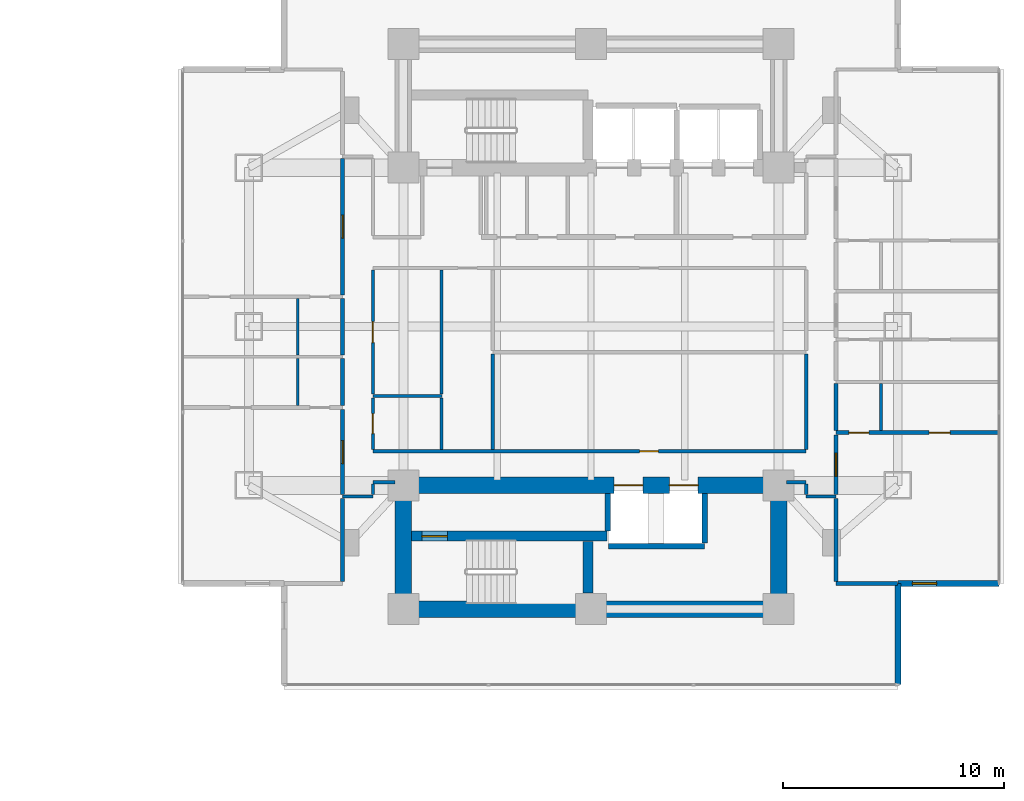
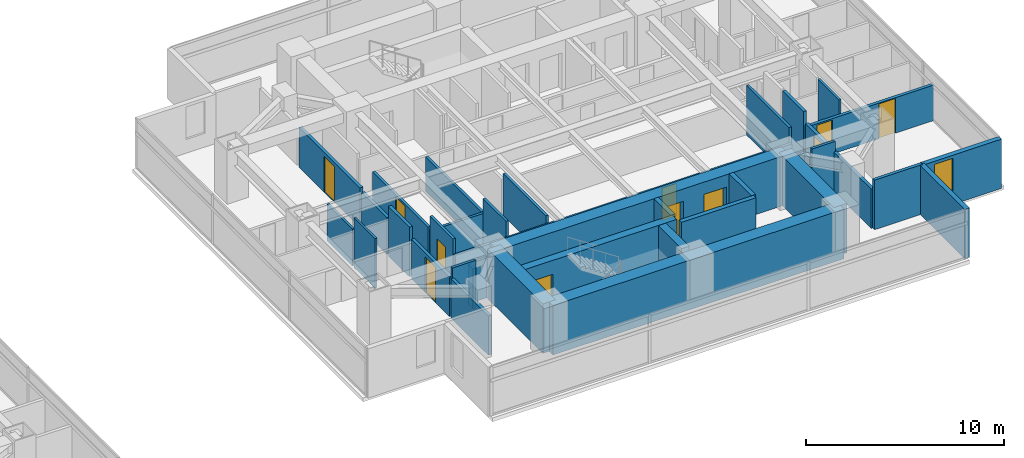
# One storey, part 17 of 25: 38 walls, 11 doors, 1 window, 12 openings.
"""IFC4 building model written with IfcOpenShell, lengths in metres."""

from ifc_helpers import new_model, si_unit, direction, frame, frame_2d, origin, place, context, subcontext, project, spatial, rectangle, extrude, material, layer, layer_set, type_object, element, fill, save


model = new_model("IFC4")

# Units and contexts
model_context = context("Model", 3, precision=1e-05, world=origin(), true_north=direction((0.0, 1.0)))
body_context = subcontext(model_context, "Body", "Model", "MODEL_VIEW")
ifc_project = project(units=[si_unit("LENGTHUNIT", "METRE"), si_unit("AREAUNIT", "SQUARE_METRE"), si_unit("VOLUMEUNIT", "CUBIC_METRE"), si_unit("PLANEANGLEUNIT", "RADIAN"), si_unit("MASSUNIT", "GRAM", prefix="KILO")], contexts=[model_context])

# Site, building, storey
site_placement = place(None, origin())
site = spatial("IfcSite", under=ifc_project, at=site_placement, CompositionType="ELEMENT")
building_placement = place(site_placement, origin())
building = spatial("IfcBuilding", under=site, at=building_placement, Name="Mirazonda Arch Towers", CompositionType="ELEMENT")
storey_placement = place(building_placement, frame((0.0, 0.0, 32.300048828125)))
storey = spatial("IfcBuildingStorey", under=building, at=storey_placement, Name="L08", CompositionType="ELEMENT", Elevation=32.300048828125)

# Wall, opening, door
ifc_material_1 = material(Name="Concrete C50/60", Category="concrete")
ifc_layer_1 = layer(ifc_material_1, 0.449951171875, Name="WALL-CORE-450")
ifc_layer_set_1 = layer_set([ifc_layer_1], Name="Concrete C50/60")
wall_type_1 = type_object("IfcWallType", Name="WALL-CORE-450", PredefinedType="SHEAR", material=ifc_layer_set_1)
wall_1_placement = place(storey_placement, frame((68.3701171875, 18.5, 0.0), z_axis=(0.0, 0.0, 1.0), x_axis=(1.0, 0.0, 0.0)))
wall_1 = element("IfcWall", 1, at=wall_1_placement, inside=storey, type_object=wall_type_1, Name="L08 Stair Core Shear Wall 014", PredefinedType="SHEAR", context=body_context, shape_type="SweptSolid", body=[
    extrude(rectangle(XDim=8.849853515625, YDim=0.449951171875, at=frame_2d((4.4248046875, 0.0))), origin(), (0.0, 0.0, 1.0), 3.06005859375),
])
opening_1_placement = place(wall_1_placement, frame((0.469970703125, 0.0, 0.0)))
opening_1 = element("IfcOpeningElement", 2, at=opening_1_placement, cuts=wall_1, Name="Opening DR-135", PredefinedType="OPENING", context=body_context, shape_type="SweptSolid", body=[
    extrude(rectangle(XDim=1.14990234375, YDim=2.199951171875, at=frame_2d((0.574951171875, 1.10009765625))), frame((0.0, 0.23486328125, 0.0), z_axis=(0.0, -1.0, 0.0), x_axis=(1.0, 0.0, 0.0)), (0.0, 0.0, 1.0), 0.469970703125),
])
ifc_material_2 = material(Name="Architectural Brushed Steel S355", Category="steel")
door_type_1 = type_object("IfcDoorType", Name="DOOR-STAIR-FD90-1150", OperationType="NOTDEFINED", PredefinedType="DOOR", material=ifc_material_2)
door_1_placement = place(opening_1_placement, origin())
door_1 = element("IfcDoor", 3, at=door_1_placement, inside=storey, type_object=door_type_1, Name="L08 East Protected Stair South Door", OperationType="SINGLE_SWING_LEFT", OverallHeight=2.199951171875, OverallWidth=1.14990234375, PredefinedType="DOOR", context=body_context, shape_type="SweptSolid", body=[
    extrude(rectangle(XDim=1.14990234375, YDim=2.199951171875, at=frame_2d((0.574951171875, 1.10009765625))), frame((0.0, 0.02490234375, 0.0), z_axis=(0.0, -1.0, 0.0), x_axis=(1.0, 0.0, 0.0)), (0.0, 0.0, 1.0), 0.050048828125),
])
fill(opening_1, door_1)

# Walls
wall_2_placement = place(storey_placement, frame((76.360107421875, 15.9150390625, 0.0), z_axis=(0.0, 0.0, 1.0), x_axis=(0.0, 1.0, 0.0)))
element("IfcWall", 4, at=wall_2_placement, inside=storey, type_object=wall_type_1, Name="L08 Stair Core Shear Wall 138", PredefinedType="SHEAR", context=body_context, shape_type="SweptSolid", body=[
    extrude(rectangle(XDim=2.349853515625, YDim=0.449951171875, at=frame_2d((1.1748046875, 0.0))), origin(), (0.0, 0.0, 1.0), 3.06005859375),
])
ifc_material_3 = material(Name="Concrete C60/75", Category="concrete")
ifc_layer_2 = layer(ifc_material_3, 0.75, Name="WALL-CORE-750")
ifc_layer_set_2 = layer_set([ifc_layer_2], Name="Concrete C60/75")
wall_type_2 = type_object("IfcWallType", Name="WALL-CORE-750", PredefinedType="SHEAR", material=ifc_layer_set_2)
wall_3_placement = place(storey_placement, frame((68.0, 15.199951171875, 0.0), z_axis=(0.0, 0.0, 1.0), x_axis=(1.0, 0.0, 0.0)))
element("IfcWall", 5, at=wall_3_placement, inside=storey, type_object=wall_type_2, Name="L08 T2S-S Core Shear Wall", PredefinedType="SHEAR", context=body_context, shape_type="SweptSolid", body=[
    extrude(rectangle(XDim=17.0, YDim=0.75, at=frame_2d((8.5, 0.0))), origin(), (0.0, 0.0, 1.0), 3.06005859375),
])
for number, where, z_axis, x_axis, name in (
    (6, (68.0, 15.199951171875, 0.0), (0.0, 0.0, 1.0), (0.0, 1.0, 0.0), "L08 T2S-W Core Shear Wall"),
    (7, (85.0, 15.199951171875, 0.0), (0.0, 0.0, 1.0), (0.0, 1.0, 0.0), "L08 T2S-E Core Shear Wall"),
):
    element("IfcWall", number, at=place(storey_placement, frame(where, z_axis=z_axis, x_axis=x_axis)), inside=storey, type_object=wall_type_2, Name=name, PredefinedType="SHEAR", context=body_context, shape_type="SweptSolid", body=[
        extrude(rectangle(XDim=5.60009765625, YDim=0.75, at=frame_2d((2.800048828125, 0.0))), origin(), (0.0, 0.0, 1.0), 3.06005859375),
    ])

# Wall, openings, doors
wall_4_placement = place(storey_placement, frame((68.0, 20.800048828125, 0.0), z_axis=(0.0, 0.0, 1.0), x_axis=(1.0, 0.0, 0.0)))
wall_4 = element("IfcWall", 8, at=wall_4_placement, inside=storey, type_object=wall_type_2, Name="L08 T2S-N Core Shear Wall", PredefinedType="SHEAR", context=body_context, shape_type="SweptSolid", body=[
    extrude(rectangle(XDim=17.0, YDim=0.75, at=frame_2d((8.5, 0.0))), origin(), (0.0, 0.0, 1.0), 3.06005859375),
])
opening_2_placement = place(wall_4_placement, frame((9.550048828125, 0.0, 0.0)))
opening_2 = element("IfcOpeningElement", 9, at=opening_2_placement, cuts=wall_4, Name="Opening LD-111", PredefinedType="OPENING", context=body_context, shape_type="SweptSolid", body=[
    extrude(rectangle(XDim=1.300048828125, YDim=2.300048828125, at=frame_2d((0.64990234375, 1.14990234375))), frame((0.0, 0.385009765625, 0.0), z_axis=(0.0, -1.0, 0.0), x_axis=(1.0, 0.0, 0.0)), (0.0, 0.0, 1.0), 0.77001953125),
])
opening_3_placement = place(wall_4_placement, frame((12.050048828125, 0.0, 0.0)))
opening_3 = element("IfcOpeningElement", 10, at=opening_3_placement, cuts=wall_4, Name="Opening LD-111", PredefinedType="OPENING", context=body_context, shape_type="SweptSolid", body=[
    extrude(rectangle(XDim=1.300048828125, YDim=2.300048828125, at=frame_2d((0.64990234375, 1.14990234375))), frame((0.0, 0.385009765625, 0.0), z_axis=(0.0, -1.0, 0.0), x_axis=(1.0, 0.0, 0.0)), (0.0, 0.0, 1.0), 0.77001953125),
])
door_type_2 = type_object("IfcDoorType", Name="DOOR-LIFT-LAND-1300", OperationType="NOTDEFINED", PredefinedType="DOOR", material=ifc_material_2)
door_2_placement = place(opening_2_placement, origin())
door_2 = element("IfcDoor", 11, at=door_2_placement, inside=storey, type_object=door_type_2, Name="L08 Lift Landing Sliding Door PL-T2H1", OperationType="DOUBLE_DOOR_SLIDING", OverallHeight=2.300048828125, OverallWidth=1.300048828125, PredefinedType="DOOR", context=body_context, shape_type="SweptSolid", body=[
    extrude(rectangle(XDim=1.300048828125, YDim=2.300048828125, at=frame_2d((0.64990234375, 1.14990234375))), frame((0.0, 0.02490234375, 0.0), z_axis=(0.0, -1.0, 0.0), x_axis=(1.0, 0.0, 0.0)), (0.0, 0.0, 1.0), 0.050048828125),
])
fill(opening_2, door_2)
door_3_placement = place(opening_3_placement, origin())
door_3 = element("IfcDoor", 12, at=door_3_placement, inside=storey, type_object=door_type_2, Name="L08 Lift Landing Sliding Door PL-T2H2", OperationType="DOUBLE_DOOR_SLIDING", OverallHeight=2.300048828125, OverallWidth=1.300048828125, PredefinedType="DOOR", context=body_context, shape_type="SweptSolid", body=[
    extrude(rectangle(XDim=1.300048828125, YDim=2.300048828125, at=frame_2d((0.64990234375, 1.14990234375))), frame((0.0, 0.02490234375, 0.0), z_axis=(0.0, -1.0, 0.0), x_axis=(1.0, 0.0, 0.0)), (0.0, 0.0, 1.0), 0.050048828125),
])
fill(opening_3, door_3)

# Wall, opening, window
ifc_material_4 = material(Name="Precast Concrete C40/50", Category="concrete")
ifc_layer_3 = layer(ifc_material_4, 0.280029296875, Name="WALL-EXT-WALL-280")
ifc_layer_set_3 = layer_set([ifc_layer_3], Name="Precast Concrete C40/50")
wall_type_3 = type_object("IfcWallType", Name="WALL-EXT-WALL-280", PredefinedType="SOLIDWALL", material=ifc_layer_set_3)
wall_5_placement = place(storey_placement, frame((90.4140625, 16.35009765625, 0.0), z_axis=(0.0, 0.0, 1.0), x_axis=(1.0, 0.0, 0.0)))
wall_5 = element("IfcWall", 13, at=wall_5_placement, inside=storey, type_object=wall_type_3, Name="L08 T2 Corner Notch Return Wall WL-L08-T2-CSE1", PredefinedType="SOLIDWALL", context=body_context, shape_type="SweptSolid", body=[
    extrude(rectangle(XDim=4.579833984375, YDim=0.280029296875, at=frame_2d((2.2900390625, 0.0))), origin(), (0.0, 0.0, 1.0), 3.0400390625),
])
opening_4_placement = place(wall_5_placement, frame((0.64990234375, 0.0, 0.85009765625)))
opening_4 = element("IfcOpeningElement", 14, at=opening_4_placement, cuts=wall_5, Name="Opening WN-108", PredefinedType="OPENING", context=body_context, shape_type="SweptSolid", body=[
    extrude(rectangle(XDim=1.10009765625, YDim=2.0, at=frame_2d((0.550048828125, 1.0))), frame((0.0, 0.14990234375, 0.0), z_axis=(0.0, -1.0, 0.0), x_axis=(1.0, 0.0, 0.0)), (0.0, 0.0, 1.0), 0.300048828125),
])
ifc_material_5 = material(Name="Insulated Low-E Solar Glass", Category="glass")
window_type = type_object("IfcWindowType", Name="WIN-NOTCH-1100x2000", PartitioningType="SINGLE_PANEL", PredefinedType="WINDOW", material=ifc_material_5)
window_placement = place(opening_4_placement, origin())
window = element("IfcWindow", 15, at=window_placement, inside=storey, type_object=window_type, Name="L08 Punched Facade Window WN-L08-T2-CSE1", OverallHeight=2.0, OverallWidth=1.10009765625, PartitioningType="SINGLE_PANEL", PredefinedType="WINDOW", context=body_context, shape_type="SweptSolid", body=[
    extrude(rectangle(XDim=1.10009765625, YDim=2.0, at=frame_2d((0.550048828125, 1.0))), frame((0.0, 0.030029296875, 0.0), z_axis=(0.0, -1.0, 0.0), x_axis=(1.0, 0.0, 0.0)), (0.0, 0.0, 1.0), 0.06005859375),
])
fill(opening_4, window)

# Walls
wall_6_placement = place(storey_placement, frame((90.4140625, 11.77001953125, 0.0), z_axis=(0.0, 0.0, 1.0), x_axis=(0.0, 1.0, 0.0)))
element("IfcWall", 16, at=wall_6_placement, inside=storey, type_object=wall_type_3, Name="L08 T2 Corner Notch Return Wall WL-L08-T2-CSE2", PredefinedType="SOLIDWALL", context=body_context, shape_type="SweptSolid", body=[
    extrude(rectangle(XDim=4.580078125, YDim=0.280029296875, at=frame_2d((2.2900390625, 0.0))), origin(), (0.0, 0.0, 1.0), 3.0400390625),
])
ifc_material_6 = material(Name="Fire-Rated Gypsum Stud Partition")
ifc_layer_4 = layer(ifc_material_6, 0.14990234375, Name="WALL-PART-CORR-150")
ifc_layer_set_4 = layer_set([ifc_layer_4], Name="Fire-Rated Gypsum Stud Partition")
wall_type_4 = type_object("IfcWallType", Name="WALL-PART-CORR-150", PredefinedType="PARTITIONING", material=ifc_layer_set_4)
wall_7_placement = place(storey_placement, frame((65.25, 20.300048828125, 0.0), z_axis=(0.0, 0.0, 1.0), x_axis=(1.0, 0.0, 0.0)))
element("IfcWall", 17, at=wall_7_placement, inside=storey, type_object=wall_type_4, Name="L08 Interior Partition 017", PredefinedType="PARTITIONING", context=body_context, shape_type="SweptSolid", body=[
    extrude(rectangle(XDim=1.3701171875, YDim=0.14990234375, at=frame_2d((0.68505859375, 0.0))), origin(), (0.0, 0.0, 1.0), 3.06005859375),
])
wall_8_placement = place(storey_placement, frame((86.25, 20.300048828125, 0.0), z_axis=(0.0, 0.0, 1.0), x_axis=(1.0, 0.0, 0.0)))
element("IfcWall", 18, at=wall_8_placement, inside=storey, type_object=wall_type_4, Name="L08 Interior Partition 018", PredefinedType="PARTITIONING", context=body_context, shape_type="SweptSolid", body=[
    extrude(rectangle(XDim=1.35009765625, YDim=0.14990234375, at=frame_2d((0.675048828125, 0.0))), origin(), (0.0, 0.0, 1.0), 3.06005859375),
])
wall_9_placement = place(storey_placement, frame((66.6201171875, 20.949951171875, 0.0), z_axis=(0.0, 0.0, 1.0), x_axis=(1.0, 0.0, 0.0)))
element("IfcWall", 19, at=wall_9_placement, inside=storey, type_object=wall_type_4, Name="L08 Interior Partition 019", PredefinedType="PARTITIONING", context=body_context, shape_type="SweptSolid", body=[
    extrude(rectangle(XDim=1.009765625, YDim=0.14990234375, at=frame_2d((0.5048828125, 0.0))), origin(), (0.0, 0.0, 1.0), 2.451904296875),
])
wall_10_placement = place(storey_placement, frame((85.3701171875, 20.949951171875, 0.0), z_axis=(0.0, 0.0, 1.0), x_axis=(1.0, 0.0, 0.0)))
element("IfcWall", 20, at=wall_10_placement, inside=storey, type_object=wall_type_4, Name="L08 Interior Partition 020", PredefinedType="PARTITIONING", context=body_context, shape_type="SweptSolid", body=[
    extrude(rectangle(XDim=0.8798828125, YDim=0.14990234375, at=frame_2d((0.43994140625, 0.0))), origin(), (0.0, 0.0, 1.0), 2.451904296875),
])

# Wall, opening, door
wall_11_placement = place(storey_placement, frame((66.6201171875, 22.35009765625, 0.0), z_axis=(0.0, 0.0, 1.0), x_axis=(1.0, 0.0, 0.0)))
wall_11 = element("IfcWall", 21, at=wall_11_placement, inside=storey, type_object=wall_type_4, Name="L08 Interior Partition 023", PredefinedType="PARTITIONING", context=body_context, shape_type="SweptSolid", body=[
    extrude(rectangle(XDim=19.6298828125, YDim=0.14990234375, at=frame_2d((9.81494140625, 0.0))), origin(), (0.0, 0.0, 1.0), 2.125),
])
opening_5_placement = place(wall_11_placement, frame((12.0849609375, 0.0, 0.0)))
opening_5 = element("IfcOpeningElement", 22, at=opening_5_placement, cuts=wall_11, Name="Opening DR-128", PredefinedType="OPENING", context=body_context, shape_type="SweptSolid", body=[
    extrude(rectangle(XDim=0.85009765625, YDim=2.010009765625, at=frame_2d((0.425048828125, 1.0048828125))), frame((0.0, 0.0849609375, 0.0), z_axis=(0.0, -1.0, 0.0), x_axis=(1.0, 0.0, 0.0)), (0.0, 0.0, 1.0), 0.169921875),
])
door_type_3 = type_object("IfcDoorType", Name="DOOR-RISER-FD60-850", OperationType="NOTDEFINED", PredefinedType="DOOR", material=ifc_material_2)
door_4_placement = place(opening_5_placement, origin())
door_4 = element("IfcDoor", 23, at=door_4_placement, inside=storey, type_object=door_type_3, Name="L08 Business Reading Study Door", OperationType="SINGLE_SWING_RIGHT", OverallHeight=2.010009765625, OverallWidth=0.85009765625, PredefinedType="DOOR", context=body_context, shape_type="SweptSolid", body=[
    extrude(rectangle(XDim=0.85009765625, YDim=2.010009765625, at=frame_2d((0.425048828125, 1.0048828125))), frame((0.0, 0.02490234375, 0.0), z_axis=(0.0, -1.0, 0.0), x_axis=(1.0, 0.0, 0.0)), (0.0, 0.0, 1.0), 0.050048828125),
])
fill(opening_5, door_4)

# Walls
wall_12_placement = place(storey_placement, frame((66.6201171875, 24.85009765625, 0.0), z_axis=(0.0, 0.0, 1.0), x_axis=(1.0, 0.0, 0.0)))
element("IfcWall", 24, at=wall_12_placement, inside=storey, type_object=wall_type_4, Name="L08 Interior Partition 028", PredefinedType="PARTITIONING", context=body_context, shape_type="SweptSolid", body=[
    extrude(rectangle(XDim=3.1298828125, YDim=0.14990234375, at=frame_2d((1.56494140625, 0.0))), origin(), (0.0, 0.0, 1.0), 2.125),
])
wall_13_placement = place(storey_placement, frame((66.6201171875, 20.385009765625, 0.0), z_axis=(0.0, 0.0, 1.0), x_axis=(0.0, 1.0, 0.0)))
element("IfcWall", 25, at=wall_13_placement, inside=storey, type_object=wall_type_4, Name="L08 Interior Partition 125", PredefinedType="PARTITIONING", context=body_context, shape_type="SweptSolid", body=[
    extrude(rectangle(XDim=0.47998046875, YDim=0.14990234375, at=frame_2d((0.239990234375, 0.0))), origin(), (0.0, 0.0, 1.0), 2.451904296875),
])

# Wall, opening, door
wall_14_placement = place(storey_placement, frame((66.6201171875, 22.43505859375, 0.0), z_axis=(0.0, 0.0, 1.0), x_axis=(0.0, 1.0, 0.0)))
wall_14 = element("IfcWall", 26, at=wall_14_placement, inside=storey, type_object=wall_type_4, Name="L08 Interior Partition 126", PredefinedType="PARTITIONING", context=body_context, shape_type="SweptSolid", body=[
    extrude(rectangle(XDim=2.329833984375, YDim=0.14990234375, at=frame_2d((1.1650390625, 0.0))), origin(), (0.0, 0.0, 1.0), 3.06005859375),
])
opening_6_placement = place(wall_14_placement, frame((0.715087890625, 0.0, 0.0)))
opening_6 = element("IfcOpeningElement", 27, at=opening_6_placement, cuts=wall_14, Name="Opening DR-120", PredefinedType="OPENING", context=body_context, shape_type="SweptSolid", body=[
    extrude(rectangle(XDim=0.89990234375, YDim=2.10009765625, at=frame_2d((0.449951171875, 1.050048828125))), frame((0.0, 0.0849609375, 0.0), z_axis=(0.0, -1.0, 0.0), x_axis=(1.0, 0.0, 0.0)), (0.0, 0.0, 1.0), 0.169921875),
])
door_type_4 = type_object("IfcDoorType", Name="DOOR-WC-900", OperationType="NOTDEFINED", PredefinedType="DOOR", material=ifc_material_2)
door_5_placement = place(opening_6_placement, origin())
door_5 = element("IfcDoor", 28, at=door_5_placement, inside=storey, type_object=door_type_4, Name="L08 Tower 2 Common Accessible WC Door", OperationType="SINGLE_SWING_RIGHT", OverallHeight=2.10009765625, OverallWidth=0.89990234375, PredefinedType="DOOR", context=body_context, shape_type="SweptSolid", body=[
    extrude(rectangle(XDim=0.89990234375, YDim=2.10009765625, at=frame_2d((0.449951171875, 1.050048828125))), frame((0.0, 0.02490234375, 0.0), z_axis=(0.0, -1.0, 0.0), x_axis=(1.0, 0.0, 0.0)), (0.0, 0.0, 1.0), 0.050048828125),
])
fill(opening_6, door_5)

wall_15_placement = place(storey_placement, frame((66.6201171875, 24.93505859375, 0.0), z_axis=(0.0, 0.0, 1.0), x_axis=(0.0, 1.0, 0.0)))
wall_15 = element("IfcWall", 29, at=wall_15_placement, inside=storey, type_object=wall_type_4, Name="L08 Interior Partition 127", PredefinedType="PARTITIONING", context=body_context, shape_type="SweptSolid", body=[
    extrude(rectangle(XDim=5.6298828125, YDim=0.14990234375, at=frame_2d((2.81494140625, 0.0))), origin(), (0.0, 0.0, 1.0), 2.279052734375),
])
opening_7_placement = place(wall_15_placement, frame((2.340087890625, 0.0, 0.0)))
opening_7 = element("IfcOpeningElement", 30, at=opening_7_placement, cuts=wall_15, Name="Opening DR-104", PredefinedType="OPENING", context=body_context, shape_type="SweptSolid", body=[
    extrude(rectangle(XDim=0.949951171875, YDim=2.14990234375, at=frame_2d((0.47509765625, 1.074951171875))), frame((0.0, 0.0849609375, 0.0), z_axis=(0.0, -1.0, 0.0), x_axis=(1.0, 0.0, 0.0)), (0.0, 0.0, 1.0), 0.169921875),
])
door_type_5 = type_object("IfcDoorType", Name="DOOR-ROOM-950", OperationType="NOTDEFINED", PredefinedType="DOOR", material=ifc_material_2)
door_6_placement = place(opening_7_placement, origin())
door_6 = element("IfcDoor", 31, at=door_6_placement, inside=storey, type_object=door_type_5, Name="L08 L08 East Courtyard Reading Study Door", OperationType="SINGLE_SWING_RIGHT", OverallHeight=2.14990234375, OverallWidth=0.949951171875, PredefinedType="DOOR", context=body_context, shape_type="SweptSolid", body=[
    extrude(rectangle(XDim=0.949951171875, YDim=2.14990234375, at=frame_2d((0.47509765625, 1.074951171875))), frame((0.0, 0.02490234375, 0.0), z_axis=(0.0, -1.0, 0.0), x_axis=(1.0, 0.0, 0.0)), (0.0, 0.0, 1.0), 0.050048828125),
])
fill(opening_7, door_6)

# Walls
wall_16_placement = place(storey_placement, frame((69.723388671875, 22.43505859375, 0.0), z_axis=(0.0, 0.0, 1.0), x_axis=(0.0, 1.0, 0.0)))
element("IfcWall", 32, at=wall_16_placement, inside=storey, type_object=wall_type_4, Name="L08 Interior Partition 130", PredefinedType="PARTITIONING", context=body_context, shape_type="SweptSolid", body=[
    extrude(rectangle(XDim=2.329833984375, YDim=0.14990234375, at=frame_2d((1.1650390625, 0.0))), origin(), (0.0, 0.0, 1.0), 3.06005859375),
])
wall_17_placement = place(storey_placement, frame((69.723388671875, 24.93505859375, 0.0), z_axis=(0.0, 0.0, 1.0), x_axis=(0.0, 1.0, 0.0)))
element("IfcWall", 33, at=wall_17_placement, inside=storey, type_object=wall_type_4, Name="L08 Interior Partition 131", PredefinedType="PARTITIONING", context=body_context, shape_type="SweptSolid", body=[
    extrude(rectangle(XDim=5.6298828125, YDim=0.14990234375, at=frame_2d((2.81494140625, 0.0))), origin(), (0.0, 0.0, 1.0), 2.125),
])
wall_18_placement = place(storey_placement, frame((72.050048828125, 22.43505859375, 0.0), z_axis=(0.0, 0.0, 1.0), x_axis=(0.0, 1.0, 0.0)))
element("IfcWall", 34, at=wall_18_placement, inside=storey, type_object=wall_type_4, Name="L08 Interior Partition 134", PredefinedType="PARTITIONING", context=body_context, shape_type="SweptSolid", body=[
    extrude(rectangle(XDim=4.31201171875, YDim=0.14990234375, at=frame_2d((2.156005859375, 0.0))), origin(), (0.0, 0.0, 1.0), 2.5888671875),
])
wall_19_placement = place(storey_placement, frame((86.25, 20.385009765625, 0.0), z_axis=(0.0, 0.0, 1.0), x_axis=(0.0, 1.0, 0.0)))
element("IfcWall", 35, at=wall_19_placement, inside=storey, type_object=wall_type_4, Name="L08 Interior Partition 145", PredefinedType="PARTITIONING", context=body_context, shape_type="SweptSolid", body=[
    extrude(rectangle(XDim=0.47998046875, YDim=0.14990234375, at=frame_2d((0.239990234375, 0.0))), origin(), (0.0, 0.0, 1.0), 2.451904296875),
])
wall_20_placement = place(storey_placement, frame((86.25, 22.43505859375, 0.0), z_axis=(0.0, 0.0, 1.0), x_axis=(0.0, 1.0, 0.0)))
element("IfcWall", 36, at=wall_20_placement, inside=storey, type_object=wall_type_4, Name="L08 Interior Partition 146", PredefinedType="PARTITIONING", context=body_context, shape_type="SweptSolid", body=[
    extrude(rectangle(XDim=4.31201171875, YDim=0.14990234375, at=frame_2d((2.156005859375, 0.0))), origin(), (0.0, 0.0, 1.0), 3.06005859375),
])
ifc_material_7 = material(Name="Fire-Rated Gypsum Twin-Stud Assembly")
ifc_layer_5 = layer(ifc_material_7, 0.179931640625, Name="WALL-PART-DEMISE-180")
ifc_layer_set_5 = layer_set([ifc_layer_5], Name="Fire-Rated Gypsum Twin-Stud Assembly")
wall_type_5 = type_object("IfcWallType", Name="WALL-PART-DEMISE-180", PredefinedType="PARTITIONING", material=ifc_layer_set_5)
wall_21_placement = place(storey_placement, frame((87.60009765625, 16.35009765625, 0.0), z_axis=(0.0, 0.0, 1.0), x_axis=(1.0, 0.0, 0.0)))
element("IfcWall", 37, at=wall_21_placement, inside=storey, type_object=wall_type_5, Name="L08 Interior Partition 010", PredefinedType="PARTITIONING", context=body_context, shape_type="SweptSolid", body=[
    extrude(rectangle(XDim=2.7939453125, YDim=0.179931640625, at=frame_2d((1.39697265625, 0.0))), origin(), (0.0, 0.0, 1.0), 3.06005859375),
])

# Wall, openings, doors
wall_22_placement = place(storey_placement, frame((87.60009765625, 23.19189453125, 0.0), z_axis=(0.0, 0.0, 1.0), x_axis=(1.0, 0.0, 0.0)))
wall_22 = element("IfcWall", 38, at=wall_22_placement, inside=storey, type_object=wall_type_5, Name="L08 Interior Partition 025", PredefinedType="PARTITIONING", context=body_context, shape_type="SweptSolid", body=[
    extrude(rectangle(XDim=7.393798828125, YDim=0.179931640625, at=frame_2d((3.69677734375, 0.0))), origin(), (0.0, 0.0, 1.0), 2.196044921875),
])
opening_8_placement = place(wall_22_placement, frame((4.221923828125, 0.0, 0.0)))
opening_8 = element("IfcOpeningElement", 39, at=opening_8_placement, cuts=wall_22, Name="Opening DR-104", PredefinedType="OPENING", context=body_context, shape_type="SweptSolid", body=[
    extrude(rectangle(XDim=0.949951171875, YDim=2.14990234375, at=frame_2d((0.47509765625, 1.074951171875))), frame((0.0, 0.099853515625, 0.0), z_axis=(0.0, -1.0, 0.0), x_axis=(1.0, 0.0, 0.0)), (0.0, 0.0, 1.0), 0.199951171875),
])
opening_9_placement = place(wall_22_placement, frame((0.590087890625, 0.0, 0.0)))
opening_9 = element("IfcOpeningElement", 40, at=opening_9_placement, cuts=wall_22, Name="Opening DR-120", PredefinedType="OPENING", context=body_context, shape_type="SweptSolid", body=[
    extrude(rectangle(XDim=0.89990234375, YDim=2.10009765625, at=frame_2d((0.449951171875, 1.050048828125))), frame((0.0, 0.099853515625, 0.0), z_axis=(0.0, -1.0, 0.0), x_axis=(1.0, 0.0, 0.0)), (0.0, 0.0, 1.0), 0.199951171875),
])
door_7_placement = place(opening_8_placement, origin())
door_7 = element("IfcDoor", 41, at=door_7_placement, inside=storey, type_object=door_type_5, Name="L08 Guestroom Study 1 Door", OperationType="SINGLE_SWING_RIGHT", OverallHeight=2.14990234375, OverallWidth=0.949951171875, PredefinedType="DOOR", context=body_context, shape_type="SweptSolid", body=[
    extrude(rectangle(XDim=0.949951171875, YDim=2.14990234375, at=frame_2d((0.47509765625, 1.074951171875))), frame((0.0, 0.02490234375, 0.0), z_axis=(0.0, -1.0, 0.0), x_axis=(1.0, 0.0, 0.0)), (0.0, 0.0, 1.0), 0.050048828125),
])
fill(opening_8, door_7)
door_8_placement = place(opening_9_placement, origin())
door_8 = element("IfcDoor", 42, at=door_8_placement, inside=storey, type_object=door_type_4, Name="L08 En-Suite Bathroom 1 Door", OperationType="SINGLE_SWING_LEFT", OverallHeight=2.10009765625, OverallWidth=0.89990234375, PredefinedType="DOOR", context=body_context, shape_type="SweptSolid", body=[
    extrude(rectangle(XDim=0.89990234375, YDim=2.10009765625, at=frame_2d((0.449951171875, 1.050048828125))), frame((0.0, 0.02490234375, 0.0), z_axis=(0.0, -1.0, 0.0), x_axis=(1.0, 0.0, 0.0)), (0.0, 0.0, 1.0), 0.050048828125),
])
fill(opening_9, door_8)

# Wall
wall_23_placement = place(storey_placement, frame((65.25, 16.449951171875, 0.0), z_axis=(0.0, 0.0, 1.0), x_axis=(0.0, 1.0, 0.0)))
element("IfcWall", 43, at=wall_23_placement, inside=storey, type_object=wall_type_5, Name="L08 Interior Partition 119", PredefinedType="PARTITIONING", context=body_context, shape_type="SweptSolid", body=[
    extrude(rectangle(XDim=3.76513671875, YDim=0.179931640625, at=frame_2d((1.882568359375, 0.0))), origin(), (0.0, 0.0, 1.0), 2.43603515625),
])

# Wall, opening, door
wall_24_placement = place(storey_placement, frame((65.25, 20.385009765625, 0.0), z_axis=(0.0, 0.0, 1.0), x_axis=(0.0, 1.0, 0.0)))
wall_24 = element("IfcWall", 44, at=wall_24_placement, inside=storey, type_object=wall_type_5, Name="L08 Interior Partition 120", PredefinedType="PARTITIONING", context=body_context, shape_type="SweptSolid", body=[
    extrude(rectangle(XDim=3.846923828125, YDim=0.179931640625, at=frame_2d((1.92333984375, 0.0))), origin(), (0.0, 0.0, 1.0), 2.451904296875),
])
opening_10_placement = place(wall_24_placement, frame((1.3984375, 0.0, 0.0)))
opening_10 = element("IfcOpeningElement", 45, at=opening_10_placement, cuts=wall_24, Name="Opening DR-121", PredefinedType="OPENING", context=body_context, shape_type="SweptSolid", body=[
    extrude(rectangle(XDim=1.050048828125, YDim=2.199951171875, at=frame_2d((0.52490234375, 1.10009765625))), frame((0.0, 0.099853515625, 0.0), z_axis=(0.0, -1.0, 0.0), x_axis=(1.0, 0.0, 0.0)), (0.0, 0.0, 1.0), 0.199951171875),
])
door_type_6 = type_object("IfcDoorType", Name="DOOR-SUITE-FD60-1050", OperationType="NOTDEFINED", PredefinedType="DOOR", material=ifc_material_2)
door_9_placement = place(opening_10_placement, origin())
door_9 = element("IfcDoor", 46, at=door_9_placement, inside=storey, type_object=door_type_6, Name="L08 Panoramic Suite Salon 1 Door", OperationType="SINGLE_SWING_LEFT", OverallHeight=2.199951171875, OverallWidth=1.050048828125, PredefinedType="DOOR", context=body_context, shape_type="SweptSolid", body=[
    extrude(rectangle(XDim=1.050048828125, YDim=2.199951171875, at=frame_2d((0.52490234375, 1.10009765625))), frame((0.0, 0.02490234375, 0.0), z_axis=(0.0, -1.0, 0.0), x_axis=(1.0, 0.0, 0.0)), (0.0, 0.0, 1.0), 0.050048828125),
])
fill(opening_10, door_9)

# Walls
wall_25_placement = place(storey_placement, frame((65.25, 24.431884765625, 0.0), z_axis=(0.0, 0.0, 1.0), x_axis=(0.0, 1.0, 0.0)))
element("IfcWall", 47, at=wall_25_placement, inside=storey, type_object=wall_type_5, Name="L08 Interior Partition 121", PredefinedType="PARTITIONING", context=body_context, shape_type="SweptSolid", body=[
    extrude(rectangle(XDim=2.127685546875, YDim=0.179931640625, at=frame_2d((1.06396484375, 0.0))), origin(), (0.0, 0.0, 1.0), 3.06005859375),
])
wall_26_placement = place(storey_placement, frame((65.25, 26.70458984375, 0.0), z_axis=(0.0, 0.0, 1.0), x_axis=(0.0, 1.0, 0.0)))
element("IfcWall", 48, at=wall_26_placement, inside=storey, type_object=wall_type_5, Name="L08 Interior Partition 122", PredefinedType="PARTITIONING", context=body_context, shape_type="SweptSolid", body=[
    extrude(rectangle(XDim=2.5625, YDim=0.179931640625, at=frame_2d((1.28125, 0.0))), origin(), (0.0, 0.0, 1.0), 2.279052734375),
])

# Wall, opening, door
wall_27_placement = place(storey_placement, frame((65.25, 29.43701171875, 0.0), z_axis=(0.0, 0.0, 1.0), x_axis=(0.0, 1.0, 0.0)))
wall_27 = element("IfcWall", 49, at=wall_27_placement, inside=storey, type_object=wall_type_5, Name="L08 Interior Partition 123", PredefinedType="PARTITIONING", context=body_context, shape_type="SweptSolid", body=[
    extrude(rectangle(XDim=6.177978515625, YDim=0.179931640625, at=frame_2d((3.0888671875, 0.0))), origin(), (0.0, 0.0, 1.0), 2.451904296875),
])
opening_11_placement = place(wall_27_placement, frame((2.56396484375, 0.0, 0.0)))
opening_11 = element("IfcOpeningElement", 50, at=opening_11_placement, cuts=wall_27, Name="Opening DR-121", PredefinedType="OPENING", context=body_context, shape_type="SweptSolid", body=[
    extrude(rectangle(XDim=1.050048828125, YDim=2.199951171875, at=frame_2d((0.52490234375, 1.10009765625))), frame((0.0, 0.099853515625, 0.0), z_axis=(0.0, -1.0, 0.0), x_axis=(1.0, 0.0, 0.0)), (0.0, 0.0, 1.0), 0.199951171875),
])
door_10_placement = place(opening_11_placement, origin())
door_10 = element("IfcDoor", 51, at=door_10_placement, inside=storey, type_object=door_type_6, Name="L08 Presidential Hotel Suite 2 Door", OperationType="SINGLE_SWING_RIGHT", OverallHeight=2.199951171875, OverallWidth=1.050048828125, PredefinedType="DOOR", context=body_context, shape_type="SweptSolid", body=[
    extrude(rectangle(XDim=1.050048828125, YDim=2.199951171875, at=frame_2d((0.52490234375, 1.10009765625))), frame((0.0, 0.02490234375, 0.0), z_axis=(0.0, -1.0, 0.0), x_axis=(1.0, 0.0, 0.0)), (0.0, 0.0, 1.0), 0.050048828125),
])
fill(opening_11, door_10)

# Wall
wall_28_placement = place(storey_placement, frame((87.60009765625, 16.449951171875, 0.0), z_axis=(0.0, 0.0, 1.0), x_axis=(0.0, 1.0, 0.0)))
element("IfcWall", 52, at=wall_28_placement, inside=storey, type_object=wall_type_5, Name="L08 Interior Partition 150", PredefinedType="PARTITIONING", context=body_context, shape_type="SweptSolid", body=[
    extrude(rectangle(XDim=3.76513671875, YDim=0.179931640625, at=frame_2d((1.882568359375, 0.0))), origin(), (0.0, 0.0, 1.0), 2.43603515625),
])

# Wall, opening, door
wall_29_placement = place(storey_placement, frame((87.60009765625, 20.385009765625, 0.0), z_axis=(0.0, 0.0, 1.0), x_axis=(0.0, 1.0, 0.0)))
wall_29 = element("IfcWall", 53, at=wall_29_placement, inside=storey, type_object=wall_type_5, Name="L08 Interior Partition 151", PredefinedType="PARTITIONING", context=body_context, shape_type="SweptSolid", body=[
    extrude(rectangle(XDim=2.70703125, YDim=0.179931640625, at=frame_2d((1.353515625, 0.0))), origin(), (0.0, 0.0, 1.0), 2.451904296875),
])
opening_12_placement = place(wall_29_placement, frame((0.82861328125, 0.0, 0.0)))
opening_12 = element("IfcOpeningElement", 54, at=opening_12_placement, cuts=wall_29, Name="Opening DR-121", PredefinedType="OPENING", context=body_context, shape_type="SweptSolid", body=[
    extrude(rectangle(XDim=1.050048828125, YDim=2.199951171875, at=frame_2d((0.52490234375, 1.10009765625))), frame((0.0, 0.099853515625, 0.0), z_axis=(0.0, -1.0, 0.0), x_axis=(1.0, 0.0, 0.0)), (0.0, 0.0, 1.0), 0.199951171875),
])
door_11_placement = place(opening_12_placement, origin())
door_11 = element("IfcDoor", 55, at=door_11_placement, inside=storey, type_object=door_type_6, Name="L08 King Hotel Guestroom 1 Door", OperationType="SINGLE_SWING_LEFT", OverallHeight=2.199951171875, OverallWidth=1.050048828125, PredefinedType="DOOR", context=body_context, shape_type="SweptSolid", body=[
    extrude(rectangle(XDim=1.050048828125, YDim=2.199951171875, at=frame_2d((0.52490234375, 1.10009765625))), frame((0.0, 0.02490234375, 0.0), z_axis=(0.0, -1.0, 0.0), x_axis=(1.0, 0.0, 0.0)), (0.0, 0.0, 1.0), 0.050048828125),
])
fill(opening_12, door_11)

# Walls
wall_30_placement = place(storey_placement, frame((87.60009765625, 23.2919921875, 0.0), z_axis=(0.0, 0.0, 1.0), x_axis=(0.0, 1.0, 0.0)))
element("IfcWall", 56, at=wall_30_placement, inside=storey, type_object=wall_type_5, Name="L08 Interior Partition 152", PredefinedType="PARTITIONING", context=body_context, shape_type="SweptSolid", body=[
    extrude(rectangle(XDim=2.12744140625, YDim=0.179931640625, at=frame_2d((1.063720703125, 0.0))), origin(), (0.0, 0.0, 1.0), 3.06005859375),
])
ifc_material_8 = material(Name="Acoustic Fire-Rated Gypsum Partition")
ifc_layer_6 = layer(ifc_material_8, 0.125, Name="WALL-PART-UNIT-125")
ifc_layer_set_6 = layer_set([ifc_layer_6], Name="Acoustic Fire-Rated Gypsum Partition")
wall_type_6 = type_object("IfcWallType", Name="WALL-PART-UNIT-125", PredefinedType="PARTITIONING", material=ifc_layer_set_6)
wall_31_placement = place(storey_placement, frame((63.2099609375, 24.431884765625, 0.0), z_axis=(0.0, 0.0, 1.0), x_axis=(0.0, 1.0, 0.0)))
element("IfcWall", 57, at=wall_31_placement, inside=storey, type_object=wall_type_6, Name="L08 Interior Partition 117", PredefinedType="PARTITIONING", context=body_context, shape_type="SweptSolid", body=[
    extrude(rectangle(XDim=2.127685546875, YDim=0.125, at=frame_2d((1.06396484375, 0.0))), origin(), (0.0, 0.0, 1.0), 3.06005859375),
])
wall_32_placement = place(storey_placement, frame((63.2099609375, 26.70458984375, 0.0), z_axis=(0.0, 0.0, 1.0), x_axis=(0.0, 1.0, 0.0)))
element("IfcWall", 58, at=wall_32_placement, inside=storey, type_object=wall_type_6, Name="L08 Interior Partition 118", PredefinedType="PARTITIONING", context=body_context, shape_type="SweptSolid", body=[
    extrude(rectangle(XDim=2.5625, YDim=0.125, at=frame_2d((1.28125, 0.0))), origin(), (0.0, 0.0, 1.0), 2.279052734375),
])
wall_33_placement = place(storey_placement, frame((89.639892578125, 23.2919921875, 0.0), z_axis=(0.0, 0.0, 1.0), x_axis=(0.0, 1.0, 0.0)))
element("IfcWall", 59, at=wall_33_placement, inside=storey, type_object=wall_type_6, Name="L08 Interior Partition 158", PredefinedType="PARTITIONING", context=body_context, shape_type="SweptSolid", body=[
    extrude(rectangle(XDim=2.12744140625, YDim=0.125, at=frame_2d((1.063720703125, 0.0))), origin(), (0.0, 0.0, 1.0), 3.06005859375),
])
ifc_material_9 = material(Name="Concrete C40/50", Category="concrete")
ifc_layer_7 = layer(ifc_material_9, 0.25, Name="WALL-SHAFT-250")
ifc_layer_set_7 = layer_set([ifc_layer_7], Name="Concrete C40/50")
wall_type_7 = type_object("IfcWallType", Name="WALL-SHAFT-250", PredefinedType="SOLIDWALL", material=ifc_layer_set_7)
wall_34_placement = place(storey_placement, frame((77.300048828125, 18.050048828125, 0.0), z_axis=(0.0, 0.0, 1.0), x_axis=(1.0, 0.0, 0.0)))
element("IfcWall", 60, at=wall_34_placement, inside=storey, type_object=wall_type_7, Name="L08 Interior Partition 011", PredefinedType="SOLIDWALL", context=body_context, shape_type="SweptSolid", body=[
    extrude(rectangle(XDim=4.349853515625, YDim=0.25, at=frame_2d((2.1748046875, 0.0))), origin(), (0.0, 0.0, 1.0), 3.06005859375),
])
wall_35_placement = place(storey_placement, frame((77.260009765625, 18.735107421875, 0.0), z_axis=(0.0, 0.0, 1.0), x_axis=(0.0, 1.0, 0.0)))
element("IfcWall", 61, at=wall_35_placement, inside=storey, type_object=wall_type_7, Name="L08 Interior Partition 140", PredefinedType="SOLIDWALL", context=body_context, shape_type="SweptSolid", body=[
    extrude(rectangle(XDim=1.69482421875, YDim=0.25, at=frame_2d((0.847412109375, 0.0))), origin(), (0.0, 0.0, 1.0), 3.06005859375),
])
wall_36_placement = place(storey_placement, frame((81.64990234375, 18.18505859375, 0.0), z_axis=(0.0, 0.0, 1.0), x_axis=(0.0, 1.0, 0.0)))
element("IfcWall", 62, at=wall_36_placement, inside=storey, type_object=wall_type_7, Name="L08 Interior Partition 143", PredefinedType="SOLIDWALL", context=body_context, shape_type="SweptSolid", body=[
    extrude(rectangle(XDim=2.244873046875, YDim=0.25, at=frame_2d((1.12255859375, 0.0))), origin(), (0.0, 0.0, 1.0), 3.06005859375),
])

save(model, "model.ifc")
